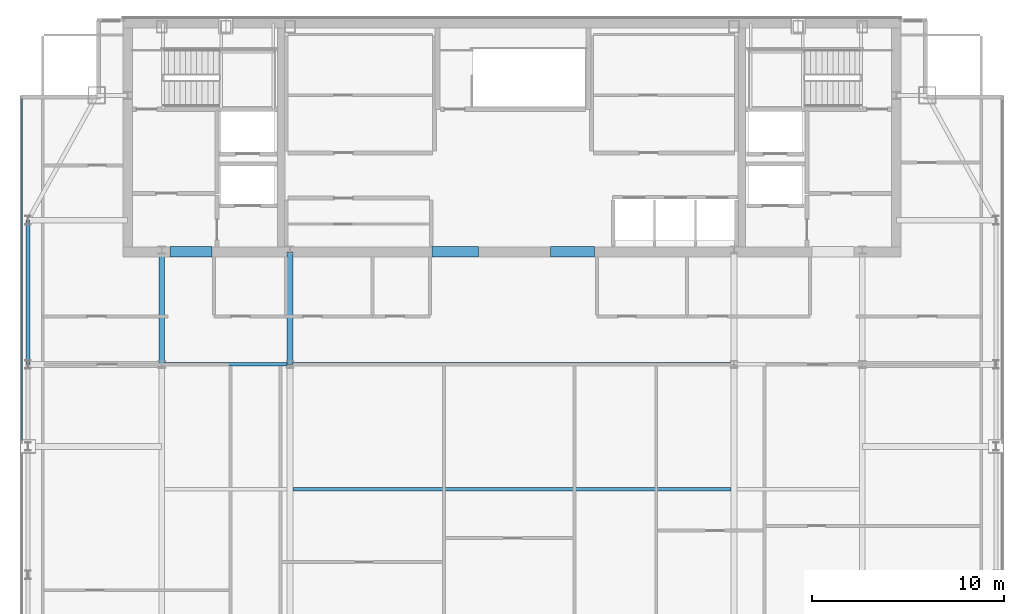
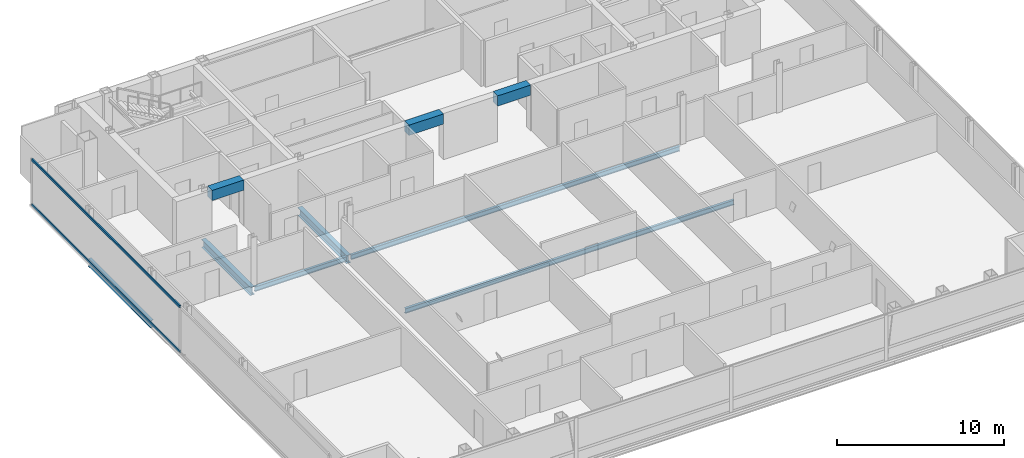
# One storey, part 9 of 24: 9 beams, 2 members, 1 element without a shape of its own.
"""IFC4 building model written with IfcOpenShell, lengths in metres."""

from ifc_helpers import new_model, si_unit, direction, frame, origin, origin_2d, place, context, subcontext, project, spatial, rectangle, hollow_rectangle, i_section, extrude, material, material_profile, profile_set, type_object, element, aggregate, save


model = new_model("IFC4")

# Units and contexts
model_context = context("Model", 3, precision=1e-05, world=origin(), true_north=direction((0.0, 1.0)))
body_context = subcontext(model_context, "Body", "Model", "MODEL_VIEW")
ifc_project = project(units=[si_unit("LENGTHUNIT", "METRE"), si_unit("AREAUNIT", "SQUARE_METRE"), si_unit("VOLUMEUNIT", "CUBIC_METRE"), si_unit("PLANEANGLEUNIT", "RADIAN"), si_unit("MASSUNIT", "GRAM", prefix="KILO")], contexts=[model_context])

# Site, building, storey
site_placement = place(None, origin())
site = spatial("IfcSite", under=ifc_project, at=site_placement, CompositionType="ELEMENT")
building_placement = place(site_placement, origin())
building = spatial("IfcBuilding", under=site, at=building_placement, Name="Khoronbel Lancet Exchange", CompositionType="ELEMENT")
storey_placement = place(building_placement, frame((0.0, 0.0, 347.0)))
storey = spatial("IfcBuildingStorey", under=building, at=storey_placement, Name="L90", CompositionType="ELEMENT", Elevation=347.0)

# Beams
ifc_material_1 = material(Name="Steel S355", Category="steel")
ifc_material_profile_1 = material_profile(ifc_material_1, i_section(OverallWidth=0.300048828125, OverallDepth=0.60009765625, WebThickness=0.015380859375, FlangeThickness=0.030029296875, at=origin_2d()), Name="HEB 600")
ifc_profile_set_1 = profile_set([ifc_material_profile_1], Name="Steel S355")
beam_type_1 = type_object("IfcBeamType", Name="BM-BG5", PredefinedType="BEAM", material=ifc_profile_set_1)
for number, where, z_axis, x_axis, name in (
    (1, (18.22509765625, 35.699951171875, -0.4599609375), (0.0, 1.0, 0.0), (-1.0, 0.0, 0.0), "Level L90 spine tie girder GN1"),
    (2, (24.89990234375, 35.699951171875, -0.4599609375), (0.0, 1.0, 0.0), (-1.0, 0.0, 0.0), "Level L90 spine tie girder GN2"),
):
    element("IfcBeam", number, at=place(storey_placement, frame(where, z_axis=z_axis, x_axis=x_axis)), inside=storey, type_object=beam_type_1, Name=name, PredefinedType="BEAM", context=body_context, shape_type="SweptSolid", body=[
        extrude(i_section(OverallWidth=0.300048828125, OverallDepth=0.60009765625, WebThickness=0.015380859375, FlangeThickness=0.030029296875, at=origin_2d()), origin(), (0.0, 0.0, 1.0), 5.85009765625),
    ])
ifc_material_profile_2 = material_profile(ifc_material_1, i_section(OverallWidth=0.169921875, OverallDepth=0.360107421875, WebThickness=0.008056640625, FlangeThickness=0.0126953125, at=origin_2d()), Name="IPE 360")
ifc_profile_set_2 = profile_set([ifc_material_profile_2], Name="Steel S355")
beam_type_2 = type_object("IfcBeamType", Name="BM-BJ6", PredefinedType="JOIST", material=ifc_profile_set_2)
beam_1_placement = place(storey_placement, frame((25.050048828125, 29.199951171875, -0.340087890625), z_axis=(1.0, 0.0, 0.0), x_axis=(0.0, 1.0, 0.0)))
element("IfcBeam", 3, at=beam_1_placement, inside=storey, type_object=beam_type_2, Name="Level L90 secondary composite joist J08", PredefinedType="JOIST", context=body_context, shape_type="SweptSolid", body=[
    extrude(i_section(OverallWidth=0.169921875, OverallDepth=0.360107421875, WebThickness=0.008056640625, FlangeThickness=0.0126953125, at=origin_2d()), origin(), (0.0, 0.0, 1.0), 22.800048828125),
])
beam_2_placement = place(storey_placement, frame((18.375, 35.699951171875, -0.340087890625), z_axis=(1.0, 0.0, 0.0), x_axis=(0.0, 1.0, 0.0)))
element("IfcBeam", 4, at=beam_2_placement, inside=storey, type_object=beam_type_2, Name="Level L90 secondary composite joist J10", PredefinedType="JOIST", context=body_context, shape_type="SweptSolid", body=[
    extrude(i_section(OverallWidth=0.169921875, OverallDepth=0.360107421875, WebThickness=0.008056640625, FlangeThickness=0.0126953125, at=origin_2d()), origin(), (0.0, 0.0, 1.0), 6.375),
])
beam_3_placement = place(storey_placement, frame((25.050048828125, 35.699951171875, -0.340087890625), z_axis=(1.0, 0.0, 0.0), x_axis=(0.0, 1.0, 0.0)))
element("IfcBeam", 5, at=beam_3_placement, inside=storey, type_object=beam_type_2, Name="Level L90 secondary composite joist J11", PredefinedType="JOIST", context=body_context, shape_type="SweptSolid", body=[
    extrude(i_section(OverallWidth=0.169921875, OverallDepth=0.360107421875, WebThickness=0.008056640625, FlangeThickness=0.0126953125, at=origin_2d()), origin(), (0.0, 0.0, 1.0), 22.800048828125),
])
ifc_material_2 = material(Name="Concrete C60/75", Category="concrete")
ifc_material_profile_3 = material_profile(ifc_material_2, rectangle(XDim=0.550048828125, YDim=0.75, at=origin_2d()), Name="RC 550x750")
ifc_profile_set_3 = profile_set([ifc_material_profile_3], Name="Concrete C60/75")
beam_type_3 = type_object("IfcBeamType", Name="BM-BL2", PredefinedType="LINTEL", material=ifc_profile_set_3)
beam_4_placement = place(storey_placement, frame((18.64990234375, 41.550048828125, 3.0048828125), z_axis=(1.0, 0.0, 0.0), x_axis=(0.0, 1.0, 0.0)))
element("IfcBeam", 6, at=beam_4_placement, inside=storey, type_object=beam_type_3, Name="Level L90 rear core coupling lintel L1", PredefinedType="LINTEL", context=body_context, shape_type="SweptSolid", body=[
    extrude(rectangle(XDim=0.550048828125, YDim=0.75, at=origin_2d()), origin(), (0.0, 0.0, 1.0), 2.2001953125),
])
beam_5_placement = place(storey_placement, frame((32.300048828125, 41.550048828125, 3.0048828125), z_axis=(1.0, 0.0, 0.0), x_axis=(0.0, 1.0, 0.0)))
element("IfcBeam", 7, at=beam_5_placement, inside=storey, type_object=beam_type_3, Name="Level L90 rear core coupling lintel L2", PredefinedType="LINTEL", context=body_context, shape_type="SweptSolid", body=[
    extrude(rectangle(XDim=0.550048828125, YDim=0.75, at=origin_2d()), origin(), (0.0, 0.0, 1.0), 2.39990234375),
])
beam_6_placement = place(storey_placement, frame((38.449951171875, 41.550048828125, 3.0048828125), z_axis=(1.0, 0.0, 0.0), x_axis=(0.0, 1.0, 0.0)))
element("IfcBeam", 8, at=beam_6_placement, inside=storey, type_object=beam_type_3, Name="Level L90 rear core coupling lintel L3", PredefinedType="LINTEL", context=body_context, shape_type="SweptSolid", body=[
    extrude(rectangle(XDim=0.550048828125, YDim=0.75, at=origin_2d()), origin(), (0.0, 0.0, 1.0), 2.300048828125),
])
ifc_material_profile_4 = material_profile(ifc_material_1, i_section(OverallWidth=0.2099609375, OverallDepth=0.550048828125, WebThickness=0.010986328125, FlangeThickness=0.01708984375, at=origin_2d()), Name="IPE 550")
ifc_profile_set_4 = profile_set([ifc_material_profile_4], Name="Steel S355")
beam_type_4 = type_object("IfcBeamType", Name="BM-BSP3", PredefinedType="SPANDREL", material=ifc_profile_set_4)
beam_7_placement = place(storey_placement, frame((11.27001953125, 43.199951171875, -0.43505859375), z_axis=(0.0, -1.0, 0.0), x_axis=(1.0, 0.0, 0.0)))
element("IfcBeam", 9, at=beam_7_placement, inside=storey, type_object=beam_type_4, Name="Level L90 perimeter spandrel beam SP15", PredefinedType="SPANDREL", context=body_context, shape_type="SweptSolid", body=[
    extrude(i_section(OverallWidth=0.2099609375, OverallDepth=0.550048828125, WebThickness=0.010986328125, FlangeThickness=0.01708984375, at=origin_2d()), origin(), (0.0, 0.0, 1.0), 7.5),
])

# Curtain wall, members
ifc_material_3 = material(Name="Low-E Solar Control Insulating Glass", Category="glass")
curtain_wall_type = type_object("IfcCurtainWallType", Name="CW-4", PredefinedType="NOTDEFINED", material=ifc_material_3)
curtain_wall_placement = place(storey_placement, origin())
curtain_wall = element("IfcCurtainWall", 10, at=curtain_wall_placement, inside=storey, type_object=curtain_wall_type, Name="Unitised curtain wall CW-L90-E03", PredefinedType="NOTDEFINED")
ifc_material_4 = material(Name="Bronze-Anodised Aluminium 6063-T6", Category="aluminium")
ifc_material_profile_5 = material_profile(ifc_material_4, hollow_rectangle(XDim=0.0849609375, YDim=0.179931640625, WallThickness=0.0048828125, at=origin_2d()), Name="ALU TRANSOM 85x180")
ifc_profile_set_5 = profile_set([ifc_material_profile_5], Name="Bronze-Anodised Aluminium 6063-T6")
member_type = type_object("IfcMemberType", Name="MEM-CWT1", PredefinedType="USERDEFINED", material=ifc_profile_set_5)
member_1_placement = place(storey_placement, frame((10.93994140625, 31.737548828125, 0.04248046875), z_axis=(0.0, 1.0, 0.0), x_axis=(-1.0, 0.0, 0.0)))
member_1 = element("IfcMember", 11, at=member_1_placement, type_object=member_type, Name="CW4 transom 2.1", ObjectType="TRANSOM", PredefinedType="USERDEFINED", context=body_context, shape_type="SweptSolid", body=[
    extrude(hollow_rectangle(XDim=0.0849609375, YDim=0.179931640625, WallThickness=0.0048828125, at=origin_2d()), origin(), (0.0, 0.0, 1.0), 17.79736328125),
])
member_2_placement = place(storey_placement, frame((10.93994140625, 31.737548828125, 3.33740234375), z_axis=(0.0, 1.0, 0.0), x_axis=(-1.0, 0.0, 0.0)))
member_2 = element("IfcMember", 12, at=member_2_placement, type_object=member_type, Name="CW4 transom 2.2", ObjectType="TRANSOM", PredefinedType="USERDEFINED", context=body_context, shape_type="SweptSolid", body=[
    extrude(hollow_rectangle(XDim=0.0849609375, YDim=0.179931640625, WallThickness=0.0048828125, at=origin_2d()), origin(), (0.0, 0.0, 1.0), 17.79736328125),
])
aggregate(curtain_wall, [member_1, member_2])

save(model, "model.ifc")
